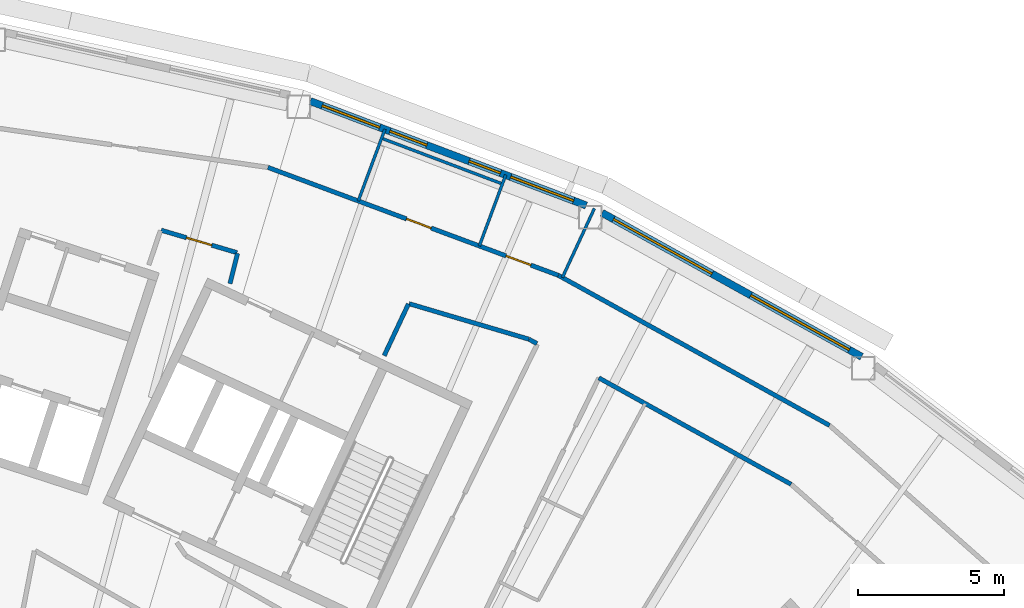
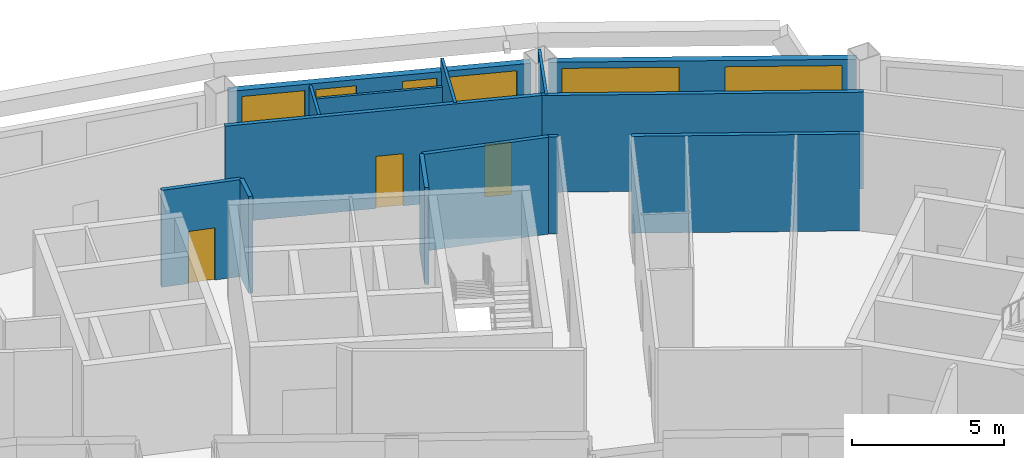
# One storey, part 11 of 16: 14 walls, 6 windows, 3 doors, 9 openings.
"""IFC4 building model written with IfcOpenShell, lengths in metres."""

from ifc_helpers import new_model, si_unit, direction, frame, frame_2d, origin, place, context, subcontext, project, spatial, rectangle, extrude, material, layer, layer_set, type_object, element, fill, save


model = new_model("IFC4")

# Units and contexts
model_context = context("Model", 3, precision=1e-05, world=origin(), true_north=direction((0.0, 1.0)))
body_context = subcontext(model_context, "Body", "Model", "MODEL_VIEW")
ifc_project = project(units=[si_unit("LENGTHUNIT", "METRE"), si_unit("AREAUNIT", "SQUARE_METRE"), si_unit("VOLUMEUNIT", "CUBIC_METRE"), si_unit("PLANEANGLEUNIT", "RADIAN"), si_unit("MASSUNIT", "GRAM", prefix="KILO")], contexts=[model_context])

# Site, building, storey
site_placement = place(None, origin())
site = spatial("IfcSite", under=ifc_project, at=site_placement, CompositionType="ELEMENT")
building_placement = place(site_placement, origin())
building = spatial("IfcBuilding", under=site, at=building_placement, Name="Tuul Gate Civic Tower", CompositionType="ELEMENT")
storey_placement = place(building_placement, frame((0.0, 0.0, 261.0)))
storey = spatial("IfcBuildingStorey", under=building, at=storey_placement, Name="Level 59", CompositionType="ELEMENT", Elevation=261.0)

# Wall
ifc_material_1 = material(Name="Gypsum board partition")
ifc_layer_1 = layer(ifc_material_1, 0.14990234375)
ifc_layer_set_1 = layer_set([ifc_layer_1], Name="Gypsum board partition")
wall_type_1 = type_object("IfcWallType", Name="Corridor wall P150", PredefinedType="PARTITIONING", material=ifc_layer_set_1)
wall_1_placement = place(storey_placement, frame((40.9990234375, 4.637451171875, 0.0), z_axis=(0.0, 0.0, 1.0), x_axis=(0.874959368945, -0.484196347254, 0.0)))
element("IfcWall", 1, at=wall_1_placement, inside=storey, type_object=wall_type_1, Name="p003", PredefinedType="PARTITIONING", context=body_context, shape_type="SweptSolid", body=[
    extrude(rectangle(XDim=10.608642578125, YDim=0.14990234375, at=frame_2d((5.30419921875, 0.0))), origin(), (0.0, 0.0, 1.0), 3.89990234375),
])

# Wall, openings, doors
wall_2_placement = place(storey_placement, frame((31.0595703125, 8.331787109375, 0.0), z_axis=(0.0, 0.0, 1.0), x_axis=(0.937347092819, -0.348396939687, 0.0)))
wall_2 = element("IfcWall", 2, at=wall_2_placement, inside=storey, type_object=wall_type_1, Name="p010", PredefinedType="PARTITIONING", context=body_context, shape_type="SweptSolid", body=[
    extrude(rectangle(XDim=10.603759765625, YDim=0.14990234375, at=frame_2d((5.3017578125, 0.0))), origin(), (0.0, 0.0, 1.0), 3.89990234375),
])
opening_1_placement = place(wall_2_placement, frame((5.058837890625, 0.0, 0.0)))
opening_1 = element("IfcOpeningElement", 3, at=opening_1_placement, cuts=wall_2, Name="Opening V-D02", PredefinedType="OPENING", context=body_context, shape_type="SweptSolid", body=[
    extrude(rectangle(XDim=0.89990234375, YDim=2.10009765625, at=frame_2d((0.449951171875, 1.050048828125))), frame((0.0, 0.0849609375, 0.0), z_axis=(0.0, -1.0, 0.0), x_axis=(1.0, 0.0, 0.0)), (0.0, 0.0, 1.0), 0.169921875),
])
opening_2_placement = place(wall_2_placement, frame((8.69677734375, 0.0, 0.0)))
opening_2 = element("IfcOpeningElement", 4, at=opening_2_placement, cuts=wall_2, Name="Opening V-D24", PredefinedType="OPENING", context=body_context, shape_type="SweptSolid", body=[
    extrude(rectangle(XDim=0.89990234375, YDim=2.10009765625, at=frame_2d((0.449951171875, 1.050048828125))), frame((0.0, 0.0849609375, 0.0), z_axis=(0.0, -1.0, 0.0), x_axis=(1.0, 0.0, 0.0)), (0.0, 0.0, 1.0), 0.169921875),
])
ifc_material_2 = material(Name="Timber door leaf", Category="wood")
door_type = type_object("IfcDoorType", Name="Door D09", OperationType="NOTDEFINED", PredefinedType="DOOR", material=ifc_material_2)
door_1_placement = place(opening_1_placement, origin())
door_1 = element("IfcDoor", 5, at=door_1_placement, inside=storey, type_object=door_type, Name="Door V-D02", OperationType="SINGLE_SWING_RIGHT", OverallHeight=2.10009765625, OverallWidth=0.89990234375, PredefinedType="DOOR", context=body_context, shape_type="SweptSolid", body=[
    extrude(rectangle(XDim=0.89990234375, YDim=2.10009765625, at=frame_2d((0.449951171875, 1.050048828125))), frame((0.0, 0.02490234375, 0.0), z_axis=(0.0, -1.0, 0.0), x_axis=(1.0, 0.0, 0.0)), (0.0, 0.0, 1.0), 0.050048828125),
])
fill(opening_1, door_1)
door_2_placement = place(opening_2_placement, origin())
door_2 = element("IfcDoor", 6, at=door_2_placement, inside=storey, type_object=door_type, Name="Door V-D24", OperationType="SINGLE_SWING_LEFT", OverallHeight=2.10009765625, OverallWidth=0.89990234375, PredefinedType="DOOR", context=body_context, shape_type="SweptSolid", body=[
    extrude(rectangle(XDim=0.89990234375, YDim=2.10009765625, at=frame_2d((0.449951171875, 1.050048828125))), frame((0.0, 0.02490234375, 0.0), z_axis=(0.0, -1.0, 0.0), x_axis=(1.0, 0.0, 0.0)), (0.0, 0.0, 1.0), 0.050048828125),
])
fill(opening_2, door_2)

# Wall, opening, door
wall_3_placement = place(storey_placement, frame((27.40576171875, 6.181640625, 0.0), z_axis=(0.0, 0.0, 1.0), x_axis=(0.958790837754, -0.284112881508, 0.0)))
wall_3 = element("IfcWall", 7, at=wall_3_placement, inside=storey, type_object=wall_type_1, Name="p083", PredefinedType="PARTITIONING", context=body_context, shape_type="SweptSolid", body=[
    extrude(rectangle(XDim=2.70849609375, YDim=0.14990234375, at=frame_2d((1.354248046875, 0.0))), origin(), (0.0, 0.0, 1.0), 3.89990234375),
])
opening_3_placement = place(wall_3_placement, frame((0.904296875, 0.0, 0.0)))
opening_3 = element("IfcOpeningElement", 8, at=opening_3_placement, cuts=wall_3, Name="Opening V-D16", PredefinedType="OPENING", context=body_context, shape_type="SweptSolid", body=[
    extrude(rectangle(XDim=0.89990234375, YDim=2.10009765625, at=frame_2d((0.449951171875, 1.050048828125))), frame((0.0, 0.0849609375, 0.0), z_axis=(0.0, -1.0, 0.0), x_axis=(1.0, 0.0, 0.0)), (0.0, 0.0, 1.0), 0.169921875),
])
door_3_placement = place(opening_3_placement, frame((0.89990234375, 0.0, 0.0), z_axis=(0.0, 0.0, 1.0), x_axis=(-1.0, 0.0, 0.0)))
door_3 = element("IfcDoor", 9, at=door_3_placement, inside=storey, type_object=door_type, Name="Door V-D16", OperationType="SINGLE_SWING_LEFT", OverallHeight=2.10009765625, OverallWidth=0.89990234375, PredefinedType="DOOR", context=body_context, shape_type="SweptSolid", body=[
    extrude(rectangle(XDim=0.89990234375, YDim=2.10009765625, at=frame_2d((0.449951171875, 1.050048828125))), frame((0.0, 0.02490234375, 0.0), z_axis=(0.0, -1.0, 0.0), x_axis=(1.0, 0.0, 0.0)), (0.0, 0.0, 1.0), 0.050048828125),
])
fill(opening_3, door_3)

# Walls
wall_4_placement = place(storey_placement, frame((35.890869140625, 3.666748046875, 0.0), z_axis=(0.0, 0.0, 1.0), x_axis=(0.958774502784, -0.284168001033, 0.0)))
element("IfcWall", 10, at=wall_4_placement, inside=storey, type_object=wall_type_1, Name="p084", PredefinedType="PARTITIONING", context=body_context, shape_type="SweptSolid", body=[
    extrude(rectangle(XDim=4.277587890625, YDim=0.14990234375, at=frame_2d((2.138671875, 0.0))), origin(), (0.0, 0.0, 1.0), 3.89990234375),
])
wall_5_placement = place(storey_placement, frame((29.75830078125, 4.353759765625, 0.0), z_axis=(0.0, 0.0, 1.0), x_axis=(0.242104450636, 0.970250191952, 0.0)))
element("IfcWall", 11, at=wall_5_placement, inside=storey, type_object=wall_type_1, Name="p085", PredefinedType="PARTITIONING", context=body_context, shape_type="SweptSolid", body=[
    extrude(rectangle(XDim=1.06591796875, YDim=0.14990234375, at=frame_2d((0.532958984375, 0.0))), origin(), (0.0, 0.0, 1.0), 3.89990234375),
])
wall_6_placement = place(storey_placement, frame((39.99609375, 2.449462890625, 0.0), z_axis=(0.0, 0.0, 1.0), x_axis=(0.87504825114, -0.484035699279, 0.0)))
element("IfcWall", 12, at=wall_6_placement, inside=storey, type_object=wall_type_1, Name="p087", PredefinedType="PARTITIONING", context=body_context, shape_type="SweptSolid", body=[
    extrude(rectangle(XDim=0.309814453125, YDim=0.14990234375, at=frame_2d((0.15478515625, 0.0))), origin(), (0.0, 0.0, 1.0), 3.89990234375),
])
wall_7_placement = place(storey_placement, frame((42.386474609375, 1.126708984375, 0.0), z_axis=(0.0, 0.0, 1.0), x_axis=(0.874960280829, -0.484194699446, 0.0)))
element("IfcWall", 13, at=wall_7_placement, inside=storey, type_object=wall_type_1, Name="p088", PredefinedType="PARTITIONING", context=body_context, shape_type="SweptSolid", body=[
    extrude(rectangle(XDim=7.517822265625, YDim=0.14990234375, at=frame_2d((3.7587890625, 0.0))), origin(), (0.0, 0.0, 1.0), 3.89990234375),
])
wall_8_placement = place(storey_placement, frame((35.039306640625, 1.89111328125, 0.0), z_axis=(0.0, 0.0, 1.0), x_axis=(0.424578267816, 0.90539123836, 0.0)))
element("IfcWall", 14, at=wall_8_placement, inside=storey, type_object=wall_type_1, Name="p093", PredefinedType="PARTITIONING", context=body_context, shape_type="SweptSolid", body=[
    extrude(rectangle(XDim=1.94921875, YDim=0.14990234375, at=frame_2d((0.974609375, 0.0))), origin(), (0.0, 0.0, 1.0), 3.89990234375),
])

# Wall, openings, windows
ifc_material_3 = material(Name="Precast concrete C40/50", Category="concrete")
ifc_layer_2 = layer(ifc_material_3, 0.25)
ifc_layer_set_2 = layer_set([ifc_layer_2], Name="Precast concrete C40/50")
wall_type_2 = type_object("IfcWallType", Name="External wall", PredefinedType="STANDARD", material=ifc_layer_set_2)
wall_9_placement = place(storey_placement, frame((51.380615234375, 1.85205078125, 0.0), z_axis=(0.0, 0.0, 1.0), x_axis=(-0.87463069098, 0.484789804345, 0.0)))
wall_9 = element("IfcWall", 15, at=wall_9_placement, inside=storey, type_object=wall_type_2, Name="External wall", PredefinedType="STANDARD", context=body_context, shape_type="SweptSolid", body=[
    extrude(rectangle(XDim=10.1591796875, YDim=0.25, at=frame_2d((5.07958984375, 0.0))), origin(), (0.0, 0.0, 1.0), 3.449951171875),
])
opening_4_placement = place(wall_9_placement, frame((0.48779296875, 0.0, 0.89990234375)))
opening_4 = element("IfcOpeningElement", 16, at=opening_4_placement, cuts=wall_9, Name="Opening W22", PredefinedType="OPENING", context=body_context, shape_type="SweptSolid", body=[
    extrude(rectangle(XDim=3.85009765625, YDim=2.300048828125, at=frame_2d((1.925048828125, 1.14990234375))), frame((0.0, 0.135009765625, 0.0), z_axis=(0.0, -1.0, 0.0), x_axis=(1.0, 0.0, 0.0)), (0.0, 0.0, 1.0), 0.27001953125),
])
opening_5_placement = place(wall_9_placement, frame((5.859130859375, 0.0, 0.89990234375)))
opening_5 = element("IfcOpeningElement", 17, at=opening_5_placement, cuts=wall_9, Name="Opening W22", PredefinedType="OPENING", context=body_context, shape_type="SweptSolid", body=[
    extrude(rectangle(XDim=3.85009765625, YDim=2.300048828125, at=frame_2d((1.925048828125, 1.14990234375))), frame((0.0, 0.135009765625, 0.0), z_axis=(0.0, -1.0, 0.0), x_axis=(1.0, 0.0, 0.0)), (0.0, 0.0, 1.0), 0.27001953125),
])
ifc_material_4 = material(Name="Glass", Category="glass")
window_type_1 = type_object("IfcWindowType", Name="Window W22 3850 x 2300", PartitioningType="SINGLE_PANEL", PredefinedType="WINDOW", material=ifc_material_4)
window_1_placement = place(opening_4_placement, origin())
window_1 = element("IfcWindow", 18, at=window_1_placement, inside=storey, type_object=window_type_1, Name="Window", OverallHeight=2.300048828125, OverallWidth=3.85009765625, PartitioningType="SINGLE_PANEL", PredefinedType="WINDOW", context=body_context, shape_type="SweptSolid", body=[
    extrude(rectangle(XDim=3.85009765625, YDim=2.300048828125, at=frame_2d((1.925048828125, 1.14990234375))), frame((0.0, 0.030029296875, 0.0), z_axis=(0.0, -1.0, 0.0), x_axis=(1.0, 0.0, 0.0)), (0.0, 0.0, 1.0), 0.06005859375),
])
fill(opening_4, window_1)
window_2_placement = place(opening_5_placement, origin())
window_2 = element("IfcWindow", 19, at=window_2_placement, inside=storey, type_object=window_type_1, Name="Window", OverallHeight=2.300048828125, OverallWidth=3.85009765625, PartitioningType="SINGLE_PANEL", PredefinedType="WINDOW", context=body_context, shape_type="SweptSolid", body=[
    extrude(rectangle(XDim=3.85009765625, YDim=2.300048828125, at=frame_2d((1.925048828125, 1.14990234375))), frame((0.0, 0.030029296875, 0.0), z_axis=(0.0, -1.0, 0.0), x_axis=(1.0, 0.0, 0.0)), (0.0, 0.0, 1.0), 0.06005859375),
])
fill(opening_5, window_2)

wall_10_placement = place(storey_placement, frame((41.954345703125, 7.028076171875, 0.0), z_axis=(0.0, 0.0, 1.0), x_axis=(-0.935343984789, 0.353739494712, 0.0)))
wall_10 = element("IfcWall", 20, at=wall_10_placement, inside=storey, type_object=wall_type_2, Name="External wall", PredefinedType="STANDARD", context=body_context, shape_type="SweptSolid", body=[
    extrude(rectangle(XDim=10.099365234375, YDim=0.25, at=frame_2d((5.0498046875, 0.0))), origin(), (0.0, 0.0, 1.0), 3.449951171875),
])
opening_6_placement = place(wall_10_placement, frame((5.8349609375, 0.0, 0.89990234375)))
opening_6 = element("IfcOpeningElement", 21, at=opening_6_placement, cuts=wall_10, Name="Opening W66", PredefinedType="OPENING", context=body_context, shape_type="SweptSolid", body=[
    extrude(rectangle(XDim=1.35009765625, YDim=2.300048828125, at=frame_2d((0.675048828125, 1.14990234375))), frame((0.0, 0.135009765625, 0.0), z_axis=(0.0, -1.0, 0.0), x_axis=(1.0, 0.0, 0.0)), (0.0, 0.0, 1.0), 0.27001953125),
])
opening_7_placement = place(wall_10_placement, frame((7.559814453125, 0.0, 0.89990234375)))
opening_7 = element("IfcOpeningElement", 22, at=opening_7_placement, cuts=wall_10, Name="Opening W40", PredefinedType="OPENING", context=body_context, shape_type="SweptSolid", body=[
    extrude(rectangle(XDim=2.10009765625, YDim=2.300048828125, at=frame_2d((1.050048828125, 1.14990234375))), frame((0.0, 0.135009765625, 0.0), z_axis=(0.0, -1.0, 0.0), x_axis=(1.0, 0.0, 0.0)), (0.0, 0.0, 1.0), 0.27001953125),
])
opening_8_placement = place(wall_10_placement, frame((0.46435546875, 0.0, 0.89990234375)))
opening_8 = element("IfcOpeningElement", 23, at=opening_8_placement, cuts=wall_10, Name="Opening W34", PredefinedType="OPENING", context=body_context, shape_type="SweptSolid", body=[
    extrude(rectangle(XDim=2.300048828125, YDim=2.300048828125, at=frame_2d((1.14990234375, 1.14990234375))), frame((0.0, 0.135009765625, 0.0), z_axis=(0.0, -1.0, 0.0), x_axis=(1.0, 0.0, 0.0)), (0.0, 0.0, 1.0), 0.27001953125),
])
opening_9_placement = place(wall_10_placement, frame((3.13916015625, 0.0, 0.89990234375)))
opening_9 = element("IfcOpeningElement", 24, at=opening_9_placement, cuts=wall_10, Name="Opening W43", PredefinedType="OPENING", context=body_context, shape_type="SweptSolid", body=[
    extrude(rectangle(XDim=1.14990234375, YDim=2.300048828125, at=frame_2d((0.574951171875, 1.14990234375))), frame((0.0, 0.135009765625, 0.0), z_axis=(0.0, -1.0, 0.0), x_axis=(1.0, 0.0, 0.0)), (0.0, 0.0, 1.0), 0.27001953125),
])
ifc_material_5 = material(Name="Glass", Category="glass")
window_type_2 = type_object("IfcWindowType", Name="Window 1150 x 2300", PartitioningType="SINGLE_PANEL", PredefinedType="WINDOW", material=ifc_material_5)
window_3_placement = place(opening_9_placement, origin())
window_3 = element("IfcWindow", 25, at=window_3_placement, inside=storey, type_object=window_type_2, Name="Window", OverallHeight=2.300048828125, OverallWidth=1.14990234375, PartitioningType="SINGLE_PANEL", PredefinedType="WINDOW", context=body_context, shape_type="SweptSolid", body=[
    extrude(rectangle(XDim=1.14990234375, YDim=2.300048828125, at=frame_2d((0.574951171875, 1.14990234375))), frame((0.0, 0.030029296875, 0.0), z_axis=(0.0, -1.0, 0.0), x_axis=(1.0, 0.0, 0.0)), (0.0, 0.0, 1.0), 0.06005859375),
])
fill(opening_9, window_3)
ifc_material_6 = material(Name="Glass", Category="glass")
window_type_3 = type_object("IfcWindowType", Name="Window 1350 x 2300", PartitioningType="SINGLE_PANEL", PredefinedType="WINDOW", material=ifc_material_6)
window_4_placement = place(opening_6_placement, origin())
window_4 = element("IfcWindow", 26, at=window_4_placement, inside=storey, type_object=window_type_3, Name="Window", OverallHeight=2.300048828125, OverallWidth=1.35009765625, PartitioningType="SINGLE_PANEL", PredefinedType="WINDOW", context=body_context, shape_type="SweptSolid", body=[
    extrude(rectangle(XDim=1.35009765625, YDim=2.300048828125, at=frame_2d((0.675048828125, 1.14990234375))), frame((0.0, 0.030029296875, 0.0), z_axis=(0.0, -1.0, 0.0), x_axis=(1.0, 0.0, 0.0)), (0.0, 0.0, 1.0), 0.06005859375),
])
fill(opening_6, window_4)
ifc_material_7 = material(Name="Glass", Category="glass")
window_type_4 = type_object("IfcWindowType", Name="Window 2100 x 2300", PartitioningType="SINGLE_PANEL", PredefinedType="WINDOW", material=ifc_material_7)
window_5_placement = place(opening_7_placement, origin())
window_5 = element("IfcWindow", 27, at=window_5_placement, inside=storey, type_object=window_type_4, Name="Window", OverallHeight=2.300048828125, OverallWidth=2.10009765625, PartitioningType="SINGLE_PANEL", PredefinedType="WINDOW", context=body_context, shape_type="SweptSolid", body=[
    extrude(rectangle(XDim=2.10009765625, YDim=2.300048828125, at=frame_2d((1.050048828125, 1.14990234375))), frame((0.0, 0.030029296875, 0.0), z_axis=(0.0, -1.0, 0.0), x_axis=(1.0, 0.0, 0.0)), (0.0, 0.0, 1.0), 0.06005859375),
])
fill(opening_7, window_5)
ifc_material_8 = material(Name="Glass", Category="glass")
window_type_5 = type_object("IfcWindowType", Name="Window 2300 x 2300", PartitioningType="SINGLE_PANEL", PredefinedType="WINDOW", material=ifc_material_8)
window_6_placement = place(opening_8_placement, origin())
window_6 = element("IfcWindow", 28, at=window_6_placement, inside=storey, type_object=window_type_5, Name="Window", OverallHeight=2.300048828125, OverallWidth=2.300048828125, PartitioningType="SINGLE_PANEL", PredefinedType="WINDOW", context=body_context, shape_type="SweptSolid", body=[
    extrude(rectangle(XDim=2.300048828125, YDim=2.300048828125, at=frame_2d((1.14990234375, 1.14990234375))), frame((0.0, 0.030029296875, 0.0), z_axis=(0.0, -1.0, 0.0), x_axis=(1.0, 0.0, 0.0)), (0.0, 0.0, 1.0), 0.06005859375),
])
fill(opening_8, window_6)

# Walls
ifc_material_9 = material(Name="Gypsum board partition")
ifc_layer_3 = layer(ifc_material_9, 0.10009765625)
ifc_layer_set_3 = layer_set([ifc_layer_3], Name="Gypsum board partition")
wall_type_3 = type_object("IfcWallType", Name="Partition P100", PredefinedType="PARTITIONING", material=ifc_layer_set_3)
wall_11_placement = place(storey_placement, frame((41.136962890625, 4.56103515625, 0.0), z_axis=(0.0, 0.0, 1.0), x_axis=(0.420357646675, 0.907358500749, 0.0)))
element("IfcWall", 29, at=wall_11_placement, inside=storey, type_object=wall_type_3, Name="p008", PredefinedType="PARTITIONING", context=body_context, shape_type="SweptSolid", body=[
    extrude(rectangle(XDim=2.6083984375, YDim=0.10009765625, at=frame_2d((1.30419921875, 0.0))), origin(), (0.0, 0.0, 1.0), 3.89990234375),
])
wall_12_placement = place(storey_placement, frame((38.294677734375, 5.642578125, 0.0), z_axis=(0.0, 0.0, 1.0), x_axis=(0.348410881789, 0.937341910645, 0.0)))
element("IfcWall", 30, at=wall_12_placement, inside=storey, type_object=wall_type_3, Name="p011", PredefinedType="PARTITIONING", context=body_context, shape_type="SweptSolid", body=[
    extrude(rectangle(XDim=2.595458984375, YDim=0.10009765625, at=frame_2d((1.2978515625, 0.0))), origin(), (0.0, 0.0, 1.0), 3.89990234375),
])
ifc_material_10 = material(Name="Gypsum board partition")
ifc_layer_4 = layer(ifc_material_10, 0.10009765625)
ifc_layer_set_4 = layer_set([ifc_layer_4], Name="Gypsum board partition")
wall_type_4 = type_object("IfcWallType", Name="Partition P100 3000 HIGH", PredefinedType="PARTITIONING", material=ifc_layer_set_4)
wall_13_placement = place(storey_placement, frame((34.94970703125, 9.32958984375, 0.0), z_axis=(0.0, 0.0, 1.0), x_axis=(0.935349489242, -0.353724939713, 0.0)))
element("IfcWall", 31, at=wall_13_placement, inside=storey, type_object=wall_type_4, Name="p103", PredefinedType="PARTITIONING", context=body_context, shape_type="SweptSolid", body=[
    extrude(rectangle(XDim=4.419921875, YDim=0.10009765625, at=frame_2d((2.2099609375, 0.0))), origin(), (0.0, 0.0, 1.0), 3.0),
])
ifc_material_11 = material(Name="Gypsum board partition")
ifc_layer_5 = layer(ifc_material_11, 0.10009765625)
ifc_layer_set_5 = layer_set([ifc_layer_5], Name="Gypsum board partition")
wall_type_5 = type_object("IfcWallType", Name="Partition P100 3400 HIGH", PredefinedType="PARTITIONING", material=ifc_layer_set_5)
wall_14_placement = place(storey_placement, frame((34.151611328125, 7.1826171875, 0.0), z_axis=(0.0, 0.0, 1.0), x_axis=(0.348436806024, 0.937332274174, 0.0)))
element("IfcWall", 32, at=wall_14_placement, inside=storey, type_object=wall_type_5, Name="p009", PredefinedType="PARTITIONING", context=body_context, shape_type="SweptSolid", body=[
    extrude(rectangle(XDim=2.62060546875, YDim=0.10009765625, at=frame_2d((1.310302734375, 0.0))), origin(), (0.0, 0.0, 1.0), 3.39990234375),
])

save(model, "model.ifc")
